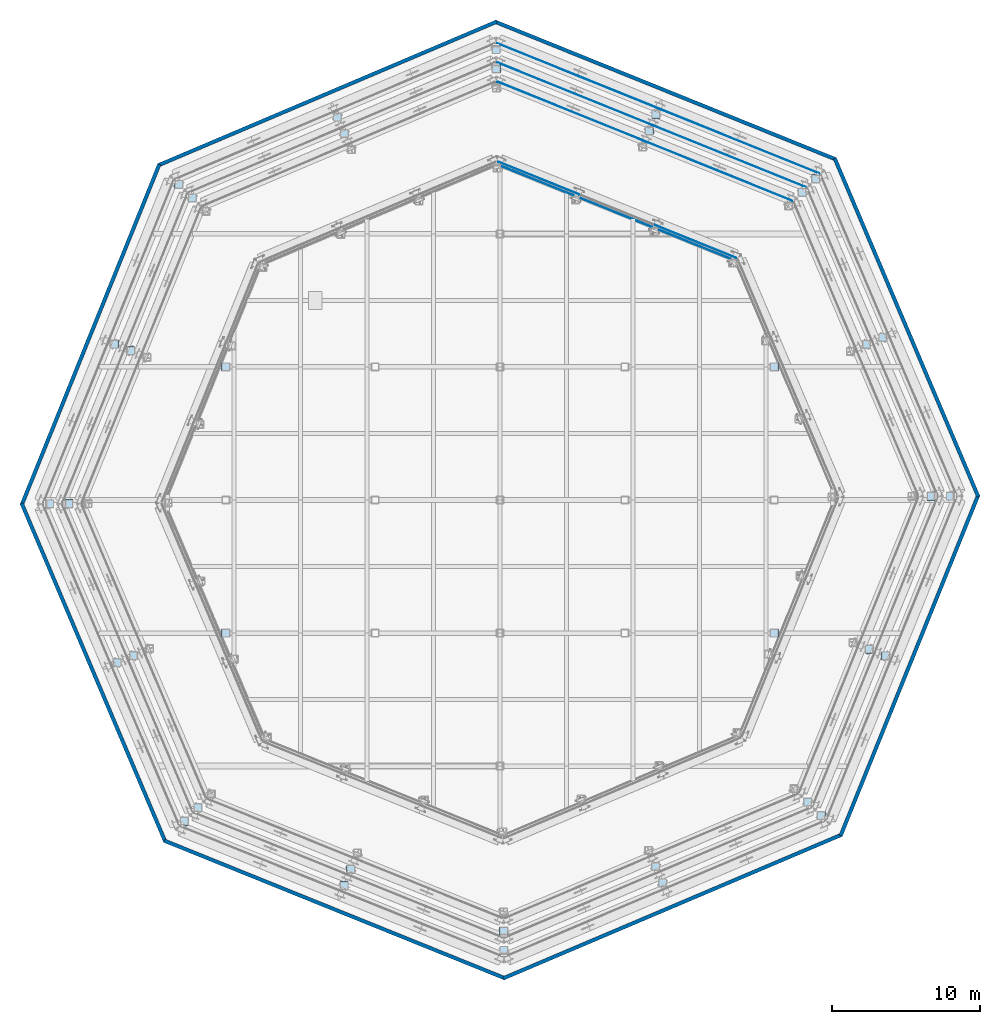
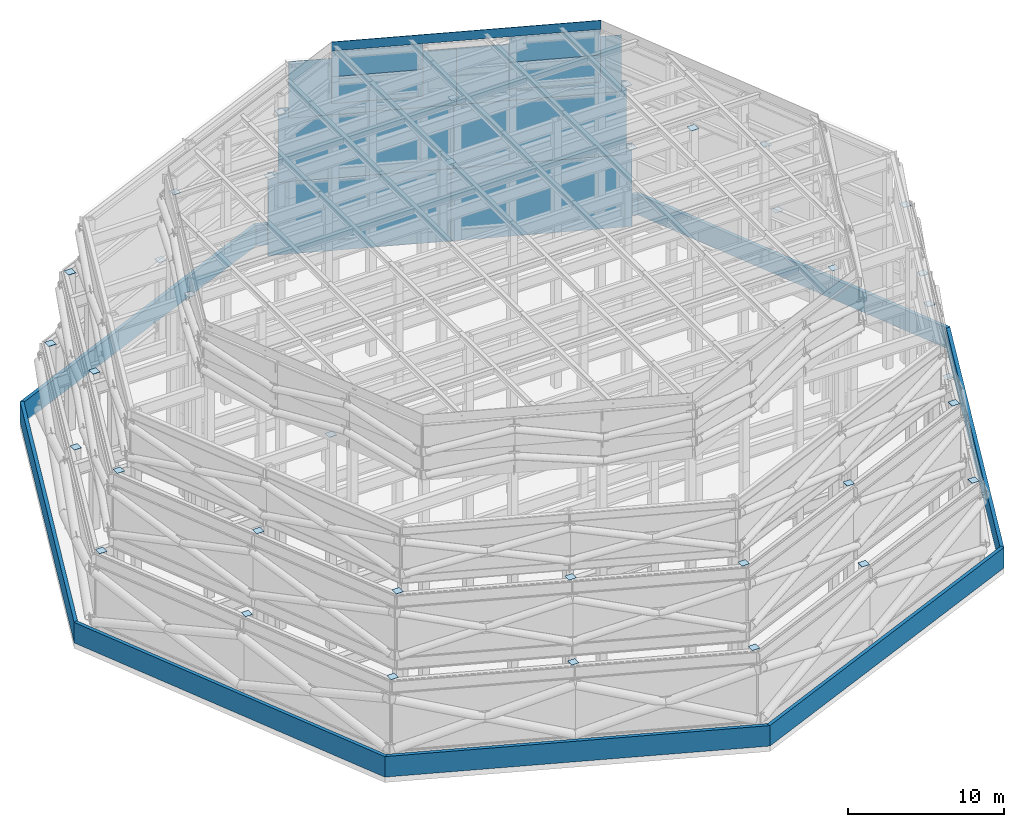
# One storey, part 17 of 19: 47 plates, 8 walls.
"""IFC4 building model written with IfcOpenShell, lengths in metres."""

from ifc_helpers import new_model, si_unit, direction, frame, frame_2d, origin, origin_2d, place, context, subcontext, project, spatial, polyline, rectangle, outline, extrude, material, layer, layer_set, type_object, element, save


model = new_model("IFC4")

# Units and contexts
model_context = context("Model", 3, precision=1e-05, world=origin(), true_north=direction((0.0, 1.0)))
body_context = subcontext(model_context, "Body", "Model", "MODEL_VIEW")
ifc_project = project(units=[si_unit("LENGTHUNIT", "METRE"), si_unit("AREAUNIT", "SQUARE_METRE"), si_unit("VOLUMEUNIT", "CUBIC_METRE"), si_unit("PLANEANGLEUNIT", "RADIAN"), si_unit("MASSUNIT", "GRAM", prefix="KILO")], contexts=[model_context])

# Site, building, storey
site_placement = place(None, origin())
site = spatial("IfcSite", under=ifc_project, at=site_placement, CompositionType="ELEMENT")
building_placement = place(site_placement, origin())
building = spatial("IfcBuilding", under=site, at=building_placement, Name="Orlundy Tower", CompositionType="ELEMENT")
storey_placement = place(building_placement, frame((0.0, 0.0, 304.300048828125)))
storey = spatial("IfcBuildingStorey", under=building, at=storey_placement, Name="Roof", CompositionType="ELEMENT", Elevation=304.300048828125)

# Plates
ifc_material_1 = material(Name="Steel ASTM A572 Gr 50", Category="steel")
ifc_layer_1 = layer(ifc_material_1, 0.02001953125)
ifc_layer_set_1 = layer_set([ifc_layer_1], Name="CROWN POST END PLATE")
plate_type_1 = type_object("IfcPlateType", Name="CROWN POST END PLATE", PredefinedType="SHEET", material=ifc_layer_set_1)
plate_1_placement = place(storey_placement, frame((0.0, 0.0, 6.47998046875)))
element("IfcPlate", 1, at=plate_1_placement, inside=storey, type_object=plate_type_1, Name="Crown post end plate 1-01", PredefinedType="SHEET", context=body_context, shape_type="SweptSolid", body=[
    extrude(outline(polyline([(21.0791015625, 21.455322265625), (21.627197265625, 21.455322265625), (21.627197265625, 22.00341796875), (21.0791015625, 22.00341796875), (21.0791015625, 21.455322265625)])), origin(), (0.0, 0.0, 1.0), 0.02001953125),
])
plate_2_placement = place(storey_placement, frame((0.0, 0.0, 6.47998046875)))
element("IfcPlate", 2, at=plate_2_placement, inside=storey, type_object=plate_type_1, Name="Crown post end plate 1-02", PredefinedType="SHEET", context=body_context, shape_type="SweptSolid", body=[
    extrude(outline(polyline([(10.26953125, 25.822509765625), (10.8173828125, 25.822509765625), (10.8173828125, 26.37060546875), (10.26953125, 26.37060546875), (10.26953125, 25.822509765625)])), origin(), (0.0, 0.0, 1.0), 0.02001953125),
])
plate_3_placement = place(storey_placement, frame((0.0, 0.0, 6.47998046875)))
element("IfcPlate", 3, at=plate_3_placement, inside=storey, type_object=plate_type_1, Name="Crown post end plate 1-03", PredefinedType="SHEET", context=body_context, shape_type="SweptSolid", body=[
    extrude(outline(polyline([(-0.5400390625, 30.189697265625), (0.008056640625, 30.189697265625), (0.008056640625, 30.73779296875), (-0.5400390625, 30.73779296875), (-0.5400390625, 30.189697265625)])), origin(), (0.0, 0.0, 1.0), 0.02001953125),
])
plate_4_placement = place(storey_placement, frame((0.0, 0.0, 6.47998046875)))
element("IfcPlate", 4, at=plate_4_placement, inside=storey, type_object=plate_type_1, Name="Crown post end plate 1-04", PredefinedType="SHEET", context=body_context, shape_type="SweptSolid", body=[
    extrude(outline(polyline([(-11.271728515625, 25.634521484375), (-10.7236328125, 25.634521484375), (-10.7236328125, 26.1826171875), (-11.271728515625, 26.1826171875), (-11.271728515625, 25.634521484375)])), origin(), (0.0, 0.0, 1.0), 0.02001953125),
])
plate_5_placement = place(storey_placement, frame((0.0, 0.0, 6.47998046875)))
element("IfcPlate", 5, at=plate_5_placement, inside=storey, type_object=plate_type_1, Name="Crown post end plate 1-05", PredefinedType="SHEET", context=body_context, shape_type="SweptSolid", body=[
    extrude(outline(polyline([(-22.00341796875, 21.0791015625), (-21.455322265625, 21.0791015625), (-21.455322265625, 21.627197265625), (-22.00341796875, 21.627197265625), (-22.00341796875, 21.0791015625)])), origin(), (0.0, 0.0, 1.0), 0.02001953125),
])
plate_6_placement = place(storey_placement, frame((0.0, 0.0, 6.47998046875)))
element("IfcPlate", 6, at=plate_6_placement, inside=storey, type_object=plate_type_1, Name="Crown post end plate 1-06", PredefinedType="SHEET", context=body_context, shape_type="SweptSolid", body=[
    extrude(outline(polyline([(-26.37060546875, 10.26953125), (-25.822509765625, 10.26953125), (-25.822509765625, 10.8173828125), (-26.37060546875, 10.8173828125), (-26.37060546875, 10.26953125)])), origin(), (0.0, 0.0, 1.0), 0.02001953125),
])
plate_7_placement = place(storey_placement, frame((0.0, 0.0, 6.47998046875)))
element("IfcPlate", 7, at=plate_7_placement, inside=storey, type_object=plate_type_1, Name="Crown post end plate 1-07", PredefinedType="SHEET", context=body_context, shape_type="SweptSolid", body=[
    extrude(outline(polyline([(-30.73779296875, -0.5400390625), (-30.189697265625, -0.5400390625), (-30.189697265625, 0.008056640625), (-30.73779296875, 0.008056640625), (-30.73779296875, -0.5400390625)])), origin(), (0.0, 0.0, 1.0), 0.02001953125),
])
plate_8_placement = place(storey_placement, frame((0.0, 0.0, 6.47998046875)))
element("IfcPlate", 8, at=plate_8_placement, inside=storey, type_object=plate_type_1, Name="Crown post end plate 1-08", PredefinedType="SHEET", context=body_context, shape_type="SweptSolid", body=[
    extrude(outline(polyline([(-26.1826171875, -11.271728515625), (-25.634521484375, -11.271728515625), (-25.634521484375, -10.7236328125), (-26.1826171875, -10.7236328125), (-26.1826171875, -11.271728515625)])), origin(), (0.0, 0.0, 1.0), 0.02001953125),
])
plate_9_placement = place(storey_placement, frame((0.0, 0.0, 6.47998046875)))
element("IfcPlate", 9, at=plate_9_placement, inside=storey, type_object=plate_type_1, Name="Crown post end plate 1-09", PredefinedType="SHEET", context=body_context, shape_type="SweptSolid", body=[
    extrude(outline(polyline([(-21.627197265625, -22.00341796875), (-21.0791015625, -22.00341796875), (-21.0791015625, -21.455322265625), (-21.627197265625, -21.455322265625), (-21.627197265625, -22.00341796875)])), origin(), (0.0, 0.0, 1.0), 0.02001953125),
])
plate_10_placement = place(storey_placement, frame((0.0, 0.0, 6.47998046875)))
element("IfcPlate", 10, at=plate_10_placement, inside=storey, type_object=plate_type_1, Name="Crown post end plate 1-10", PredefinedType="SHEET", context=body_context, shape_type="SweptSolid", body=[
    extrude(outline(polyline([(-10.8173828125, -26.37060546875), (-10.26953125, -26.37060546875), (-10.26953125, -25.822509765625), (-10.8173828125, -25.822509765625), (-10.8173828125, -26.37060546875)])), origin(), (0.0, 0.0, 1.0), 0.02001953125),
])
plate_11_placement = place(storey_placement, frame((0.0, 0.0, 6.47998046875)))
element("IfcPlate", 11, at=plate_11_placement, inside=storey, type_object=plate_type_1, Name="Crown post end plate 1-11", PredefinedType="SHEET", context=body_context, shape_type="SweptSolid", body=[
    extrude(outline(polyline([(-0.008056640625, -30.73779296875), (0.5400390625, -30.73779296875), (0.5400390625, -30.189697265625), (-0.008056640625, -30.189697265625), (-0.008056640625, -30.73779296875)])), origin(), (0.0, 0.0, 1.0), 0.02001953125),
])
plate_12_placement = place(storey_placement, frame((0.0, 0.0, 6.47998046875)))
element("IfcPlate", 12, at=plate_12_placement, inside=storey, type_object=plate_type_1, Name="Crown post end plate 1-12", PredefinedType="SHEET", context=body_context, shape_type="SweptSolid", body=[
    extrude(outline(polyline([(10.7236328125, -26.1826171875), (11.271728515625, -26.1826171875), (11.271728515625, -25.634521484375), (10.7236328125, -25.634521484375), (10.7236328125, -26.1826171875)])), origin(), (0.0, 0.0, 1.0), 0.02001953125),
])
plate_13_placement = place(storey_placement, frame((0.0, 0.0, 6.47998046875)))
element("IfcPlate", 13, at=plate_13_placement, inside=storey, type_object=plate_type_1, Name="Crown post end plate 1-13", PredefinedType="SHEET", context=body_context, shape_type="SweptSolid", body=[
    extrude(outline(polyline([(21.455322265625, -21.627197265625), (22.00341796875, -21.627197265625), (22.00341796875, -21.0791015625), (21.455322265625, -21.0791015625), (21.455322265625, -21.627197265625)])), origin(), (0.0, 0.0, 1.0), 0.02001953125),
])
plate_14_placement = place(storey_placement, frame((0.0, 0.0, 6.47998046875)))
element("IfcPlate", 14, at=plate_14_placement, inside=storey, type_object=plate_type_1, Name="Crown post end plate 1-14", PredefinedType="SHEET", context=body_context, shape_type="SweptSolid", body=[
    extrude(outline(polyline([(25.822509765625, -10.8173828125), (26.37060546875, -10.8173828125), (26.37060546875, -10.26953125), (25.822509765625, -10.26953125), (25.822509765625, -10.8173828125)])), origin(), (0.0, 0.0, 1.0), 0.02001953125),
])
plate_15_placement = place(storey_placement, frame((0.0, 0.0, 6.47998046875)))
element("IfcPlate", 15, at=plate_15_placement, inside=storey, type_object=plate_type_1, Name="Crown post end plate 1-15", PredefinedType="SHEET", context=body_context, shape_type="SweptSolid", body=[
    extrude(outline(polyline([(30.189697265625, -0.008056640625), (30.73779296875, -0.008056640625), (30.73779296875, 0.5400390625), (30.189697265625, 0.5400390625), (30.189697265625, -0.008056640625)])), origin(), (0.0, 0.0, 1.0), 0.02001953125),
])
plate_16_placement = place(storey_placement, frame((0.0, 0.0, 6.47998046875)))
element("IfcPlate", 16, at=plate_16_placement, inside=storey, type_object=plate_type_1, Name="Crown post end plate 1-16", PredefinedType="SHEET", context=body_context, shape_type="SweptSolid", body=[
    extrude(outline(polyline([(25.634521484375, 10.7236328125), (26.1826171875, 10.7236328125), (26.1826171875, 11.271728515625), (25.634521484375, 11.271728515625), (25.634521484375, 10.7236328125)])), origin(), (0.0, 0.0, 1.0), 0.02001953125),
])
plate_17_placement = place(storey_placement, frame((0.0, 0.0, 12.280029296875)))
element("IfcPlate", 17, at=plate_17_placement, inside=storey, type_object=plate_type_1, Name="Crown post end plate 2-01", PredefinedType="SHEET", context=body_context, shape_type="SweptSolid", body=[
    extrude(outline(polyline([(20.168701171875, 20.52880859375), (20.716796875, 20.52880859375), (20.716796875, 21.076904296875), (20.168701171875, 21.076904296875), (20.168701171875, 20.52880859375)])), origin(), (0.0, 0.0, 1.0), 0.02001953125),
])
plate_18_placement = place(storey_placement, frame((0.0, 0.0, 12.280029296875)))
element("IfcPlate", 18, at=plate_18_placement, inside=storey, type_object=plate_type_1, Name="Crown post end plate 2-02", PredefinedType="SHEET", context=body_context, shape_type="SweptSolid", body=[
    extrude(outline(polyline([(9.820068359375, 24.7099609375), (10.367919921875, 24.7099609375), (10.367919921875, 25.258056640625), (9.820068359375, 25.258056640625), (9.820068359375, 24.7099609375)])), origin(), (0.0, 0.0, 1.0), 0.02001953125),
])
plate_19_placement = place(storey_placement, frame((0.0, 0.0, 12.280029296875)))
element("IfcPlate", 19, at=plate_19_placement, inside=storey, type_object=plate_type_1, Name="Crown post end plate 2-03", PredefinedType="SHEET", context=body_context, shape_type="SweptSolid", body=[
    extrude(outline(polyline([(-0.52880859375, 28.89111328125), (0.019287109375, 28.89111328125), (0.019287109375, 29.43896484375), (-0.52880859375, 29.43896484375), (-0.52880859375, 28.89111328125)])), origin(), (0.0, 0.0, 1.0), 0.02001953125),
])
plate_20_placement = place(storey_placement, frame((0.0, 0.0, 12.280029296875)))
element("IfcPlate", 20, at=plate_20_placement, inside=storey, type_object=plate_type_1, Name="Crown post end plate 2-04", PredefinedType="SHEET", context=body_context, shape_type="SweptSolid", body=[
    extrude(outline(polyline([(-10.802734375, 24.52978515625), (-10.2548828125, 24.52978515625), (-10.2548828125, 25.077880859375), (-10.802734375, 25.077880859375), (-10.802734375, 24.52978515625)])), origin(), (0.0, 0.0, 1.0), 0.02001953125),
])
plate_21_placement = place(storey_placement, frame((0.0, 0.0, 12.280029296875)))
element("IfcPlate", 21, at=plate_21_placement, inside=storey, type_object=plate_type_1, Name="Crown post end plate 2-05", PredefinedType="SHEET", context=body_context, shape_type="SweptSolid", body=[
    extrude(outline(polyline([(-21.076904296875, 20.168701171875), (-20.52880859375, 20.168701171875), (-20.52880859375, 20.716796875), (-21.076904296875, 20.716796875), (-21.076904296875, 20.168701171875)])), origin(), (0.0, 0.0, 1.0), 0.02001953125),
])
plate_22_placement = place(storey_placement, frame((0.0, 0.0, 12.280029296875)))
element("IfcPlate", 22, at=plate_22_placement, inside=storey, type_object=plate_type_1, Name="Crown post end plate 2-06", PredefinedType="SHEET", context=body_context, shape_type="SweptSolid", body=[
    extrude(outline(polyline([(-25.258056640625, 9.820068359375), (-24.7099609375, 9.820068359375), (-24.7099609375, 10.367919921875), (-25.258056640625, 10.367919921875), (-25.258056640625, 9.820068359375)])), origin(), (0.0, 0.0, 1.0), 0.02001953125),
])
plate_23_placement = place(storey_placement, frame((0.0, 0.0, 12.280029296875)))
element("IfcPlate", 23, at=plate_23_placement, inside=storey, type_object=plate_type_1, Name="Crown post end plate 2-07", PredefinedType="SHEET", context=body_context, shape_type="SweptSolid", body=[
    extrude(outline(polyline([(-29.43896484375, -0.52880859375), (-28.89111328125, -0.52880859375), (-28.89111328125, 0.019287109375), (-29.43896484375, 0.019287109375), (-29.43896484375, -0.52880859375)])), origin(), (0.0, 0.0, 1.0), 0.02001953125),
])
plate_24_placement = place(storey_placement, frame((0.0, 0.0, 12.280029296875)))
element("IfcPlate", 24, at=plate_24_placement, inside=storey, type_object=plate_type_1, Name="Crown post end plate 2-08", PredefinedType="SHEET", context=body_context, shape_type="SweptSolid", body=[
    extrude(outline(polyline([(-25.077880859375, -10.802734375), (-24.52978515625, -10.802734375), (-24.52978515625, -10.2548828125), (-25.077880859375, -10.2548828125), (-25.077880859375, -10.802734375)])), origin(), (0.0, 0.0, 1.0), 0.02001953125),
])
plate_25_placement = place(storey_placement, frame((0.0, 0.0, 12.280029296875)))
element("IfcPlate", 25, at=plate_25_placement, inside=storey, type_object=plate_type_1, Name="Crown post end plate 2-09", PredefinedType="SHEET", context=body_context, shape_type="SweptSolid", body=[
    extrude(outline(polyline([(-20.716796875, -21.076904296875), (-20.168701171875, -21.076904296875), (-20.168701171875, -20.52880859375), (-20.716796875, -20.52880859375), (-20.716796875, -21.076904296875)])), origin(), (0.0, 0.0, 1.0), 0.02001953125),
])
plate_26_placement = place(storey_placement, frame((0.0, 0.0, 12.280029296875)))
element("IfcPlate", 26, at=plate_26_placement, inside=storey, type_object=plate_type_1, Name="Crown post end plate 2-10", PredefinedType="SHEET", context=body_context, shape_type="SweptSolid", body=[
    extrude(outline(polyline([(-10.367919921875, -25.258056640625), (-9.820068359375, -25.258056640625), (-9.820068359375, -24.7099609375), (-10.367919921875, -24.7099609375), (-10.367919921875, -25.258056640625)])), origin(), (0.0, 0.0, 1.0), 0.02001953125),
])
plate_27_placement = place(storey_placement, frame((0.0, 0.0, 12.280029296875)))
element("IfcPlate", 27, at=plate_27_placement, inside=storey, type_object=plate_type_1, Name="Crown post end plate 2-11", PredefinedType="SHEET", context=body_context, shape_type="SweptSolid", body=[
    extrude(outline(polyline([(-0.019287109375, -29.43896484375), (0.52880859375, -29.43896484375), (0.52880859375, -28.89111328125), (-0.019287109375, -28.89111328125), (-0.019287109375, -29.43896484375)])), origin(), (0.0, 0.0, 1.0), 0.02001953125),
])
plate_28_placement = place(storey_placement, frame((0.0, 0.0, 12.280029296875)))
element("IfcPlate", 28, at=plate_28_placement, inside=storey, type_object=plate_type_1, Name="Crown post end plate 2-12", PredefinedType="SHEET", context=body_context, shape_type="SweptSolid", body=[
    extrude(outline(polyline([(10.2548828125, -25.077880859375), (10.802734375, -25.077880859375), (10.802734375, -24.52978515625), (10.2548828125, -24.52978515625), (10.2548828125, -25.077880859375)])), origin(), (0.0, 0.0, 1.0), 0.02001953125),
])
plate_29_placement = place(storey_placement, frame((0.0, 0.0, 12.280029296875)))
element("IfcPlate", 29, at=plate_29_placement, inside=storey, type_object=plate_type_1, Name="Crown post end plate 2-13", PredefinedType="SHEET", context=body_context, shape_type="SweptSolid", body=[
    extrude(outline(polyline([(20.52880859375, -20.716796875), (21.076904296875, -20.716796875), (21.076904296875, -20.168701171875), (20.52880859375, -20.168701171875), (20.52880859375, -20.716796875)])), origin(), (0.0, 0.0, 1.0), 0.02001953125),
])
plate_30_placement = place(storey_placement, frame((0.0, 0.0, 12.280029296875)))
element("IfcPlate", 30, at=plate_30_placement, inside=storey, type_object=plate_type_1, Name="Crown post end plate 2-14", PredefinedType="SHEET", context=body_context, shape_type="SweptSolid", body=[
    extrude(outline(polyline([(24.7099609375, -10.367919921875), (25.258056640625, -10.367919921875), (25.258056640625, -9.820068359375), (24.7099609375, -9.820068359375), (24.7099609375, -10.367919921875)])), origin(), (0.0, 0.0, 1.0), 0.02001953125),
])
plate_31_placement = place(storey_placement, frame((0.0, 0.0, 12.280029296875)))
element("IfcPlate", 31, at=plate_31_placement, inside=storey, type_object=plate_type_1, Name="Crown post end plate 2-15", PredefinedType="SHEET", context=body_context, shape_type="SweptSolid", body=[
    extrude(outline(polyline([(28.89111328125, -0.019287109375), (29.43896484375, -0.019287109375), (29.43896484375, 0.52880859375), (28.89111328125, 0.52880859375), (28.89111328125, -0.019287109375)])), origin(), (0.0, 0.0, 1.0), 0.02001953125),
])
plate_32_placement = place(storey_placement, frame((0.0, 0.0, 12.280029296875)))
element("IfcPlate", 32, at=plate_32_placement, inside=storey, type_object=plate_type_1, Name="Crown post end plate 2-16", PredefinedType="SHEET", context=body_context, shape_type="SweptSolid", body=[
    extrude(outline(polyline([(24.52978515625, 10.2548828125), (25.077880859375, 10.2548828125), (25.077880859375, 10.802734375), (24.52978515625, 10.802734375), (24.52978515625, 10.2548828125)])), origin(), (0.0, 0.0, 1.0), 0.02001953125),
])
plate_33_placement = place(storey_placement, frame((0.0, 0.0, 16.679931640625)))
element("IfcPlate", 33, at=plate_33_placement, inside=storey, type_object=plate_type_1, Name="Crown interior post end plate 3-01", PredefinedType="SHEET", context=body_context, shape_type="SweptSolid", body=[
    extrude(outline(polyline([(-18.823974609375, -9.27392578125), (-18.27587890625, -9.27392578125), (-18.27587890625, -8.72607421875), (-18.823974609375, -8.72607421875), (-18.823974609375, -9.27392578125)])), origin(), (0.0, 0.0, 1.0), 0.02001953125),
])
plate_34_placement = place(storey_placement, frame((0.0, 0.0, 16.679931640625)))
element("IfcPlate", 34, at=plate_34_placement, inside=storey, type_object=plate_type_1, Name="Crown interior post end plate 3-03", PredefinedType="SHEET", context=body_context, shape_type="SweptSolid", body=[
    extrude(outline(polyline([(-18.823974609375, 8.72607421875), (-18.27587890625, 8.72607421875), (-18.27587890625, 9.27392578125), (-18.823974609375, 9.27392578125), (-18.823974609375, 8.72607421875)])), origin(), (0.0, 0.0, 1.0), 0.02001953125),
])
plate_35_placement = place(storey_placement, frame((0.0, 0.0, 16.679931640625)))
element("IfcPlate", 35, at=plate_35_placement, inside=storey, type_object=plate_type_1, Name="Crown interior post end plate 3-15", PredefinedType="SHEET", context=body_context, shape_type="SweptSolid", body=[
    extrude(outline(polyline([(18.27587890625, -9.27392578125), (18.823974609375, -9.27392578125), (18.823974609375, -8.72607421875), (18.27587890625, -8.72607421875), (18.27587890625, -9.27392578125)])), origin(), (0.0, 0.0, 1.0), 0.02001953125),
])
plate_36_placement = place(storey_placement, frame((0.0, 0.0, 16.679931640625)))
element("IfcPlate", 36, at=plate_36_placement, inside=storey, type_object=plate_type_1, Name="Crown interior post end plate 3-17", PredefinedType="SHEET", context=body_context, shape_type="SweptSolid", body=[
    extrude(outline(polyline([(18.27587890625, 8.72607421875), (18.823974609375, 8.72607421875), (18.823974609375, 9.27392578125), (18.27587890625, 9.27392578125), (18.27587890625, 8.72607421875)])), origin(), (0.0, 0.0, 1.0), 0.02001953125),
])
ifc_material_2 = material(Name="Fritted glass screen", Category="glass")
ifc_layer_2 = layer(ifc_material_2, 0.0400390625)
ifc_layer_set_2 = layer_set([ifc_layer_2], Name="CROWN SCREEN PANEL")
plate_type_2 = type_object("IfcPlateType", Name="CROWN SCREEN PANEL", PredefinedType="SHEET", material=ifc_layer_set_2)
plate_37_placement = place(storey_placement, frame((16.107177734375, 24.30615234375, 0.0), z_axis=(0.0, 0.0, 1.0), x_axis=(-0.927185698403, 0.374602029729, 0.0)))
element("IfcPlate", 37, at=plate_37_placement, inside=storey, type_object=plate_type_2, Name="Crown screen", PredefinedType="SHEET", context=body_context, shape_type="SweptSolid", body=[
    extrude(rectangle(XDim=11.82861328125, YDim=0.0400390625, at=origin_2d()), origin(), (0.0, 0.0, 1.0), 6.5),
])
plate_38_placement = place(storey_placement, frame((5.297607421875, 28.67333984375, 0.0), z_axis=(0.0, 0.0, 1.0), x_axis=(-0.927187473928, 0.374597635058, 0.0)))
element("IfcPlate", 38, at=plate_38_placement, inside=storey, type_object=plate_type_2, Name="Crown screen", PredefinedType="SHEET", context=body_context, shape_type="SweptSolid", body=[
    extrude(rectangle(XDim=11.828369140625, YDim=0.0400390625, at=origin_2d()), origin(), (0.0, 0.0, 1.0), 6.5),
])
for number, where, z_axis, x_axis, name in (
    (39, (15.42724609375, 23.28662109375, 6.5), (0.0, 0.0, 1.0), (-0.927185292351, 0.374603034755, 0.0), "Crown screen"),
    (40, (5.078369140625, 27.467529296875, 6.5), (0.0, 0.0, 1.0), (-0.927188404179, 0.374595332534, 0.0), "Crown screen"),
):
    element("IfcPlate", number, at=place(storey_placement, frame(where, z_axis=z_axis, x_axis=x_axis)), inside=storey, type_object=plate_type_2, Name=name, PredefinedType="SHEET", context=body_context, shape_type="SweptSolid", body=[
        extrude(rectangle(XDim=11.331298828125, YDim=0.0400390625, at=origin_2d()), origin(), (0.0, 0.0, 1.0), 5.800048828125),
    ])
for number, where, z_axis, x_axis, name in (
    (41, (14.747314453125, 22.26708984375, 12.300048828125), (0.0, 0.0, 1.0), (-0.927188105324, 0.374596072252, 0.0), "Crown screen"),
    (42, (4.859375, 26.261962890625, 12.300048828125), (0.0, 0.0, 1.0), (-0.927184848443, 0.374604133478, 0.0), "Crown screen"),
):
    element("IfcPlate", number, at=place(storey_placement, frame(where, z_axis=z_axis, x_axis=x_axis)), inside=storey, type_object=plate_type_2, Name=name, PredefinedType="SHEET", context=body_context, shape_type="SweptSolid", body=[
        extrude(rectangle(XDim=10.834228515625, YDim=0.0400390625, at=origin_2d()), origin(), (0.0, 0.0, 1.0), 4.39990234375),
    ])
for number, where, z_axis, x_axis, name in (
    (43, (13.241943359375, 17.482421875, 16.699951171875), (0.0, 0.0, 1.0), (-0.927181799498, 0.37461167985, 0.0), "Crown screen"),
    (44, (2.61865234375, 21.774658203125, 16.699951171875), (0.0, 0.0, 1.0), (-0.927181799498, 0.37461167985, 0.0), "Crown screen"),
    (45, (13.241943359375, 17.482421875, 18.7998046875), (0.0, 0.0, 1.0), (-0.927181799498, 0.37461167985, 0.0), "Crown screen"),
    (46, (2.61865234375, 21.774658203125, 18.7998046875), (0.0, 0.0, 1.0), (-0.927181799498, 0.37461167985, 0.0), "Crown screen"),
):
    element("IfcPlate", number, at=place(storey_placement, frame(where, z_axis=z_axis, x_axis=x_axis)), inside=storey, type_object=plate_type_2, Name=name, PredefinedType="SHEET", context=body_context, shape_type="SweptSolid", body=[
        extrude(rectangle(XDim=5.89892578125, YDim=0.0400390625, at=origin_2d()), origin(), (0.0, 0.0, 1.0), 2.10009765625),
    ])
plate_39_placement = place(storey_placement, frame((15.921875, 16.202392578125, 20.949951171875), z_axis=(0.374601189381, 0.92718603792, 0.0), x_axis=(-0.92718603792, 0.374601189381, 0.0)))
element("IfcPlate", 47, at=plate_39_placement, inside=storey, type_object=plate_type_2, Name="Crown screen", PredefinedType="SHEET", context=body_context, shape_type="SweptSolid", body=[
    extrude(outline(polyline([(0.0, 0.0), (17.386328815174878, 0.0), (17.386328815174878, 0.699951171875), (0.0, 0.699951171875), (0.0, 0.0)])), origin(), (0.0, 0.0, -1.0), 0.0400390625),
])

# Walls
ifc_material_3 = material(Name="Concrete C30/37", Category="concrete")
ifc_layer_3 = layer(ifc_material_3, 0.25)
ifc_layer_set_3 = layer_set([ifc_layer_3], Name="Parapet wall")
wall_type = type_object("IfcWallType", Name="Parapet wall", PredefinedType="PARAPET", material=ifc_layer_set_3)
wall_1_placement = place(storey_placement, frame((22.64501953125, 23.112060546875, 0.0), z_axis=(0.0, 0.0, 1.0), x_axis=(0.39072541796, -0.920507277408, 0.0)))
element("IfcWall", 48, at=wall_1_placement, inside=storey, type_object=wall_type, Name="Parapet 1", PredefinedType="PARAPET", context=body_context, shape_type="SweptSolid", body=[
    extrude(rectangle(XDim=24.853515625, YDim=0.25, at=frame_2d((12.4267578125, 0.0))), origin(), (0.0, 0.0, 1.0), 1.599853515625),
])
wall_2_placement = place(storey_placement, frame((32.35498046875, 0.329833984375, 0.0), z_axis=(0.0, 0.0, 1.0), x_axis=(-0.374601430982, -0.927185940309, 0.0)))
element("IfcWall", 49, at=wall_2_placement, inside=storey, type_object=wall_type, Name="Parapet 2", PredefinedType="PARAPET", context=body_context, shape_type="SweptSolid", body=[
    extrude(rectangle(XDim=24.8525390625, YDim=0.25, at=frame_2d((12.42626953125, 0.0))), origin(), (0.0, 0.0, 1.0), 1.599853515625),
])
wall_3_placement = place(storey_placement, frame((23.112060546875, -22.64501953125, 0.0), z_axis=(0.0, 0.0, 1.0), x_axis=(-0.920507277408, -0.39072541796, 0.0)))
element("IfcWall", 50, at=wall_3_placement, inside=storey, type_object=wall_type, Name="Parapet 3", PredefinedType="PARAPET", context=body_context, shape_type="SweptSolid", body=[
    extrude(rectangle(XDim=24.853515625, YDim=0.25, at=frame_2d((12.4267578125, 0.0))), origin(), (0.0, 0.0, 1.0), 1.599853515625),
])
wall_4_placement = place(storey_placement, frame((0.329833984375, -32.35498046875, 0.0), z_axis=(0.0, 0.0, 1.0), x_axis=(-0.927185940309, 0.374601430982, 0.0)))
element("IfcWall", 51, at=wall_4_placement, inside=storey, type_object=wall_type, Name="Parapet 4", PredefinedType="PARAPET", context=body_context, shape_type="SweptSolid", body=[
    extrude(rectangle(XDim=24.8525390625, YDim=0.25, at=frame_2d((12.42626953125, 0.0))), origin(), (0.0, 0.0, 1.0), 1.599853515625),
])
wall_5_placement = place(storey_placement, frame((-22.64501953125, -23.112060546875, 0.0), z_axis=(0.0, 0.0, 1.0), x_axis=(-0.39072541796, 0.920507277408, 0.0)))
element("IfcWall", 52, at=wall_5_placement, inside=storey, type_object=wall_type, Name="Parapet 5", PredefinedType="PARAPET", context=body_context, shape_type="SweptSolid", body=[
    extrude(rectangle(XDim=24.853515625, YDim=0.25, at=frame_2d((12.4267578125, 0.0))), origin(), (0.0, 0.0, 1.0), 1.599853515625),
])
wall_6_placement = place(storey_placement, frame((-32.35498046875, -0.329833984375, 0.0), z_axis=(0.0, 0.0, 1.0), x_axis=(0.374601430982, 0.927185940309, 0.0)))
element("IfcWall", 53, at=wall_6_placement, inside=storey, type_object=wall_type, Name="Parapet 6", PredefinedType="PARAPET", context=body_context, shape_type="SweptSolid", body=[
    extrude(rectangle(XDim=24.8525390625, YDim=0.25, at=frame_2d((12.42626953125, 0.0))), origin(), (0.0, 0.0, 1.0), 1.599853515625),
])
wall_7_placement = place(storey_placement, frame((-23.112060546875, 22.64501953125, 0.0), z_axis=(0.0, 0.0, 1.0), x_axis=(0.920507277408, 0.39072541796, 0.0)))
element("IfcWall", 54, at=wall_7_placement, inside=storey, type_object=wall_type, Name="Parapet 7", PredefinedType="PARAPET", context=body_context, shape_type="SweptSolid", body=[
    extrude(rectangle(XDim=24.853515625, YDim=0.25, at=frame_2d((12.4267578125, 0.0))), origin(), (0.0, 0.0, 1.0), 1.599853515625),
])
wall_8_placement = place(storey_placement, frame((-0.329833984375, 32.35498046875, 0.0), z_axis=(0.0, 0.0, 1.0), x_axis=(0.927185940309, -0.374601430982, 0.0)))
element("IfcWall", 55, at=wall_8_placement, inside=storey, type_object=wall_type, Name="Parapet 8", PredefinedType="PARAPET", context=body_context, shape_type="SweptSolid", body=[
    extrude(rectangle(XDim=24.8525390625, YDim=0.25, at=frame_2d((12.42626953125, 0.0))), origin(), (0.0, 0.0, 1.0), 1.599853515625),
])

save(model, "model.ifc")
